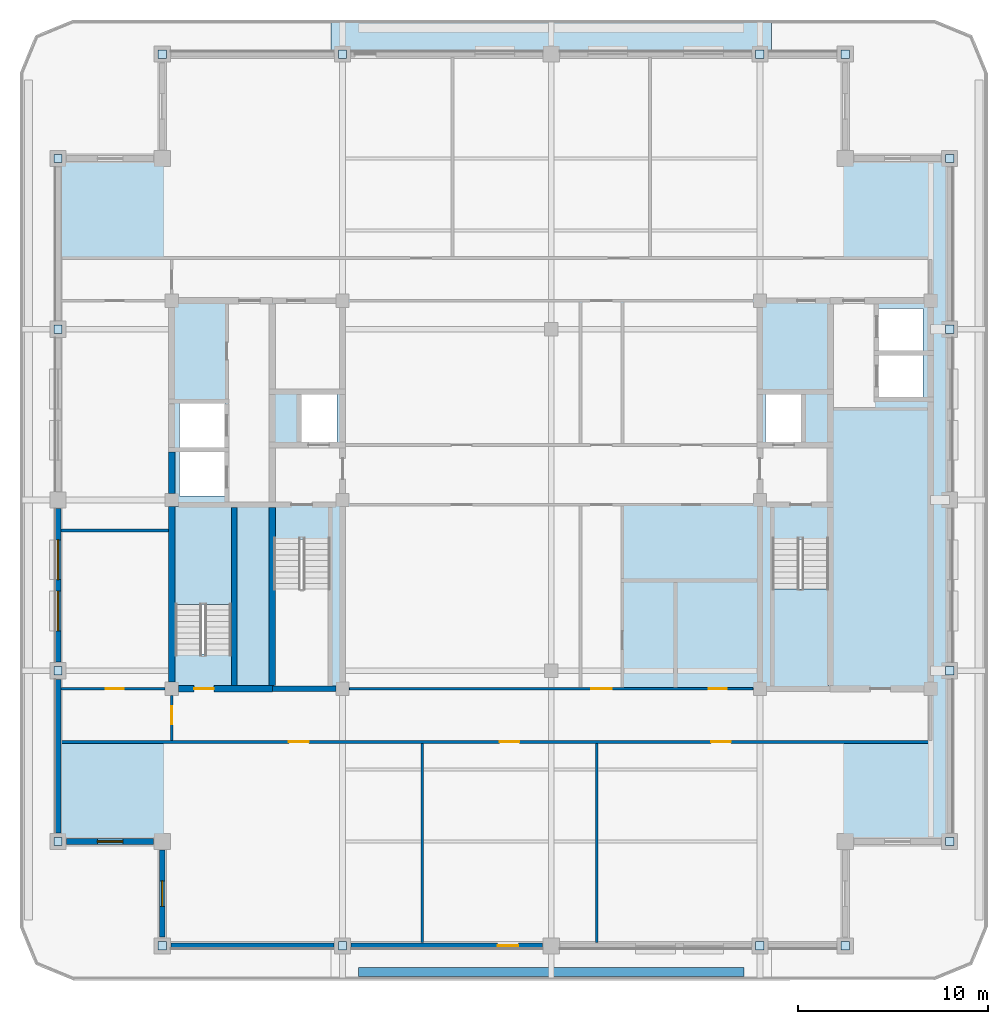
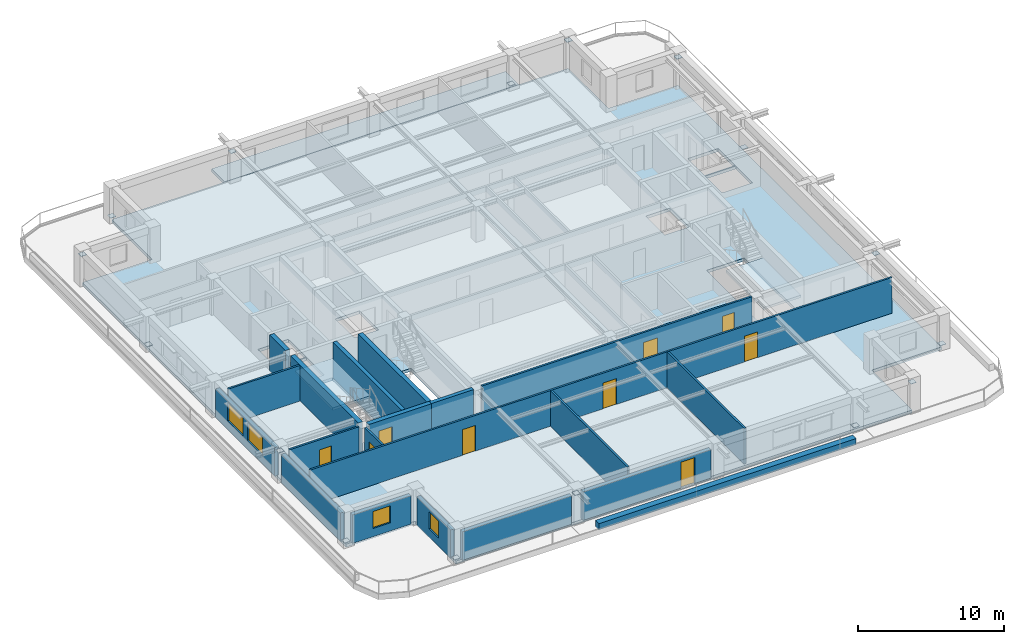
# One storey, part 2 of 11: 20 walls, 16 plates, 9 doors, 4 slabs, 4 windows, 13 openings, 2 elements without a shape of their own.
"""IFC4 building model written with IfcOpenShell, lengths in metres."""

from ifc_helpers import new_model, si_unit, direction, frame, frame_2d, origin, origin_2d, place, context, subcontext, project, spatial, polyline, rectangle, outline, extrude, material, layer, layer_set, type_object, element, fill, aggregate, save


model = new_model("IFC4")

# Units and contexts
model_context = context("Model", 3, precision=1e-05, world=origin(), true_north=direction((0.0, 1.0)))
body_context = subcontext(model_context, "Body", "Model", "MODEL_VIEW")
ifc_project = project(units=[si_unit("LENGTHUNIT", "METRE"), si_unit("AREAUNIT", "SQUARE_METRE"), si_unit("VOLUMEUNIT", "CUBIC_METRE"), si_unit("PLANEANGLEUNIT", "RADIAN"), si_unit("MASSUNIT", "GRAM", prefix="KILO")], contexts=[model_context])

# Site, building, storey
site_placement = place(None, origin())
site = spatial("IfcSite", under=ifc_project, at=site_placement, CompositionType="ELEMENT")
building_placement = place(site_placement, origin())
building = spatial("IfcBuilding", under=site, at=building_placement, Name="Zulmaris Gate Convention Tower", CompositionType="ELEMENT")
storey_placement = place(building_placement, frame((0.0, 0.0, 264.119873046875)))
storey = spatial("IfcBuildingStorey", under=building, at=storey_placement, Name="L70", CompositionType="ELEMENT", Elevation=264.119873046875)

# Plates
ifc_material_1 = material(Name="Steel S460", Category="steel")
ifc_layer_1 = layer(ifc_material_1, 0.02490234375, Name="Steel S460")
ifc_layer_set_1 = layer_set([ifc_layer_1], Name="Steel S460")
plate_type = type_object("IfcPlateType", Name="NP-CAP-440", PredefinedType="USERDEFINED", material=ifc_layer_set_1)
for number, where, z_axis, x_axis, name in (
    (1, (-26.0, -18.0, 0.28759765625), (0.0, 0.0, 1.0), (1.0, 0.0, 0.0), "L70 Steel Node Plate PBR-L70-SW-W-CAP"),
    (2, (-26.0, -9.0, 2.34765625), (0.0, 0.0, 1.0), (1.0, 0.0, 0.0), "L70 Steel Node Plate PBR-L70-SW-W-CAPB"),
    (3, (-26.0, 9.0, 0.28759765625), (0.0, 0.0, 1.0), (1.0, 0.0, 0.0), "L70 Steel Node Plate PBR-L70-NW-W-CAP"),
    (4, (-26.0, 18.0, 2.34765625), (0.0, 0.0, 1.0), (1.0, 0.0, 0.0), "L70 Steel Node Plate PBR-L70-NW-W-CAPB"),
    (5, (21.0, -18.0, 0.28759765625), (0.0, 0.0, 1.0), (1.0, 0.0, 0.0), "L70 Steel Node Plate PBR-L70-SE-E-CAP"),
    (6, (21.0, -9.0, 2.34765625), (0.0, 0.0, 1.0), (1.0, 0.0, 0.0), "L70 Steel Node Plate PBR-L70-SE-E-CAPB"),
    (7, (21.0, 9.0, 0.28759765625), (0.0, 0.0, 1.0), (1.0, 0.0, 0.0), "L70 Steel Node Plate PBR-L70-NE-E-CAP"),
    (8, (21.0, 18.0, 2.34765625), (0.0, 0.0, 1.0), (1.0, 0.0, 0.0), "L70 Steel Node Plate PBR-L70-NE-E-CAPB"),
    (9, (-20.5, -23.5, 0.28759765625), (0.0, 0.0, 1.0), (1.0, 0.0, 0.0), "L70 Steel Node Plate PBR-L70-SW-S-CAP"),
    (10, (-11.0, -23.5, 2.34765625), (0.0, 0.0, 1.0), (1.0, 0.0, 0.0), "L70 Steel Node Plate PBR-L70-SW-S-CAPB"),
    (11, (11.0, -23.5, 0.28759765625), (0.0, 0.0, 1.0), (1.0, 0.0, 0.0), "L70 Steel Node Plate PBR-L70-SE-S-CAP"),
    (12, (15.5, -23.5, 2.34765625), (0.0, 0.0, 1.0), (1.0, 0.0, 0.0), "L70 Steel Node Plate PBR-L70-SE-S-CAPB"),
    (13, (-20.5, 23.5, 0.28759765625), (0.0, 0.0, 1.0), (1.0, 0.0, 0.0), "L70 Steel Node Plate PBR-L70-NW-N-CAP"),
    (14, (-11.0, 23.5, 2.34765625), (0.0, 0.0, 1.0), (1.0, 0.0, 0.0), "L70 Steel Node Plate PBR-L70-NW-N-CAPB"),
    (15, (11.0, 23.5, 0.28759765625), (0.0, 0.0, 1.0), (1.0, 0.0, 0.0), "L70 Steel Node Plate PBR-L70-NE-N-CAP"),
    (16, (15.5, 23.5, 2.34765625), (0.0, 0.0, 1.0), (1.0, 0.0, 0.0), "L70 Steel Node Plate PBR-L70-NE-N-CAPB"),
):
    element("IfcPlate", number, at=place(storey_placement, frame(where, z_axis=z_axis, x_axis=x_axis)), inside=storey, type_object=plate_type, Name=name, ObjectType="FLANGE PLATE", PredefinedType="USERDEFINED", context=body_context, shape_type="SweptSolid", body=[
        extrude(rectangle(XDim=0.43994140625, YDim=0.43994140625, at=origin_2d()), origin(), (0.0, 0.0, 1.0), 0.02490234375),
    ])

# Slabs
ifc_material_2 = material(Name="Precast concrete C50/60", Category="concrete")
ifc_layer_2 = layer(ifc_material_2, 0.260009765625, Name="Precast concrete C50/60")
ifc_layer_set_2 = layer_set([ifc_layer_2], Name="Precast concrete C50/60")
slab_type_1 = type_object("IfcSlabType", Name="SL-BAL-260", PredefinedType="FLOOR", material=ifc_layer_set_2)
slab_1_placement = place(storey_placement, frame((0.0, 0.0, -0.25)))
element("IfcSlab", 17, at=slab_1_placement, inside=storey, type_object=slab_type_1, Name="L70 North Tree-Balcony Planter Slab", PredefinedType="FLOOR", context=body_context, shape_type="SweptSolid", body=[
    extrude(outline(polyline([(11.597900390625, 25.300048828125), (11.597900390625, 23.5), (-11.597900390625, 23.5), (-11.597900390625, 25.300048828125), (11.597900390625, 25.300048828125)])), origin(), (0.0, 0.0, 1.0), 0.260009765625),
])
ifc_material_3 = material(Name="Concrete C50/60", Category="concrete")
ifc_layer_3 = layer(ifc_material_3, 0.25, Name="Concrete C50/60")
ifc_layer_set_3 = layer_set([ifc_layer_3], Name="Concrete C50/60")
slab_type_2 = type_object("IfcSlabType", Name="SL-FLR-250", PredefinedType="FLOOR", material=ifc_layer_set_3)
slab_2_placement = place(storey_placement, frame((0.0, 0.0, -0.25)))
element("IfcSlab", 18, at=slab_2_placement, inside=storey, type_object=slab_type_2, Name="L70 Shifted Notched-Square Structural Floor Slab", PredefinedType="FLOOR", context=body_context, shape_type="SweptSolid", body=[
    extrude(outline(polyline([(-20.5, -23.5), (15.5, -23.5), (15.5, -18.0), (21.0, -18.0), (21.0, 18.0), (15.5, 18.0), (15.5, 23.5), (-20.5, 23.5), (-20.5, 18.0), (-26.0, 18.0), (-26.0, -18.0), (-20.5, -18.0), (-20.5, -23.5)]), holes=[polyline([(-14.6201171875, -2.080078125), (-14.6201171875, -9.85009765625), (-11.659912109375, -9.85009765625), (-11.659912109375, -2.080078125), (-14.6201171875, -2.080078125)]), polyline([(11.659912109375, -2.080078125), (11.659912109375, -9.85009765625), (14.6201171875, -9.85009765625), (14.6201171875, -2.080078125), (11.659912109375, -2.080078125)]), polyline([(-16.860107421875, -8.1201171875), (-16.860107421875, -0.35009765625), (-19.820068359375, -0.35009765625), (-19.820068359375, -8.1201171875), (-16.860107421875, -8.1201171875)]), polyline([(-13.199951171875, 3.0), (-11.300048828125, 3.0), (-11.300048828125, 5.60009765625), (-13.199951171875, 5.60009765625), (-13.199951171875, 3.0)]), polyline([(11.300048828125, 3.0), (13.199951171875, 3.0), (13.199951171875, 5.60009765625), (11.300048828125, 5.60009765625), (11.300048828125, 3.0)]), polyline([(17.199951171875, 5.39990234375), (19.60009765625, 5.39990234375), (19.60009765625, 7.699951171875), (17.199951171875, 7.699951171875), (17.199951171875, 5.39990234375)]), polyline([(17.199951171875, 7.800048828125), (19.60009765625, 7.800048828125), (19.60009765625, 10.10009765625), (17.199951171875, 10.10009765625), (17.199951171875, 7.800048828125)]), polyline([(-19.60009765625, 0.199951171875), (-17.199951171875, 0.199951171875), (-17.199951171875, 2.60009765625), (-19.60009765625, 2.60009765625), (-19.60009765625, 0.199951171875)]), polyline([(-19.60009765625, 2.699951171875), (-17.199951171875, 2.699951171875), (-17.199951171875, 5.10009765625), (-19.60009765625, 5.10009765625), (-19.60009765625, 2.699951171875)])]), origin(), (0.0, 0.0, 1.0), 0.25),
])

# Stair, slab
ifc_material_4 = material(Name="Concrete C45/55", Category="concrete")
stair_type = type_object("IfcStairType", Name="ST-CORE-DOGLEG", PredefinedType="HALF_TURN_STAIR", material=ifc_material_4)
stair_1_placement = place(storey_placement, origin())
stair_1 = element("IfcStair", 19, at=stair_1_placement, inside=storey, type_object=stair_type, Name="L70 Core Exit Stair ST-2", PredefinedType="HALF_TURN_STAIR")
ifc_layer_4 = layer(ifc_material_4, 0.199951171875, Name="Concrete C45/55")
ifc_layer_set_4 = layer_set([ifc_layer_4], Name="Concrete C45/55")
slab_type_3 = type_object("IfcSlabType", Name="SL-LND-200", PredefinedType="LANDING", material=ifc_layer_set_4)
slab_3_placement = place(storey_placement, frame((0.0, 0.0, 1.4150390625)))
slab_3 = element("IfcSlab", 20, at=slab_3_placement, type_object=slab_type_3, Name="ST-2 landing 1", PredefinedType="LANDING", context=body_context, shape_type="SweptSolid", body=[
    extrude(outline(polyline([(11.659912109375, -4.699951171875), (11.659912109375, -9.85009765625), (14.6201171875, -9.85009765625), (14.6201171875, -4.699951171875), (11.659912109375, -4.699951171875)])), origin(), (0.0, 0.0, 1.0), 0.2001953125),
])
aggregate(stair_1, [slab_3])

stair_2_placement = place(storey_placement, origin())
stair_2 = element("IfcStair", 21, at=stair_2_placement, inside=storey, type_object=stair_type, Name="L70 Core Exit Stair ST-3", PredefinedType="HALF_TURN_STAIR")
slab_4_placement = place(storey_placement, frame((0.0, 0.0, 1.4150390625)))
slab_4 = element("IfcSlab", 22, at=slab_4_placement, type_object=slab_type_3, Name="ST-3 landing 1", PredefinedType="LANDING", context=body_context, shape_type="SweptSolid", body=[
    extrude(outline(polyline([(-16.860107421875, -5.5), (-16.860107421875, -0.35009765625), (-19.820068359375, -0.35009765625), (-19.820068359375, -5.5), (-16.860107421875, -5.5)])), origin(), (0.0, 0.0, 1.0), 0.2001953125),
])
aggregate(stair_2, [slab_4])

# Walls
ifc_layer_5 = layer(ifc_material_3, 0.300048828125, Name="Concrete C50/60")
ifc_layer_set_5 = layer_set([ifc_layer_5], Name="Concrete C50/60")
wall_type_1 = type_object("IfcWallType", Name="CORE-300", PredefinedType="SHEAR", material=ifc_layer_set_5)
wall_1_placement = place(storey_placement, frame((-14.699951171875, -9.949951171875, 0.0), z_axis=(0.0, 0.0, 1.0), x_axis=(1.0, 0.0, 0.0)))
element("IfcWall", 23, at=wall_1_placement, inside=storey, type_object=wall_type_1, Name="WL-L70-002", PredefinedType="SHEAR", context=body_context, shape_type="SweptSolid", body=[
    extrude(rectangle(XDim=3.345947265625, YDim=0.300048828125, at=frame_2d((1.6728515625, 0.0))), origin(), (0.0, 0.0, 1.0), 2.980224609375),
])
wall_2_placement = place(storey_placement, frame((-16.699951171875, -9.77294921875, 0.0), z_axis=(0.0, 0.0, 1.0), x_axis=(0.0, 1.0, 0.0)))
element("IfcWall", 24, at=wall_2_placement, inside=storey, type_object=wall_type_1, Name="WL-L70-036", PredefinedType="SHEAR", context=body_context, shape_type="SweptSolid", body=[
    extrude(rectangle(XDim=9.370849609375, YDim=0.300048828125, at=frame_2d((4.685546875, 0.0))), origin(), (0.0, 0.0, 1.0), 2.980224609375),
])

# Wall, opening, door
ifc_material_5 = material(Name="Concrete C55/67", Category="concrete")
ifc_layer_6 = layer(ifc_material_5, 0.35009765625, Name="Concrete C55/67")
ifc_layer_set_6 = layer_set([ifc_layer_6], Name="Concrete C55/67")
wall_type_2 = type_object("IfcWallType", Name="CORE-350", PredefinedType="SHEAR", material=ifc_layer_set_6)
wall_3_placement = place(storey_placement, frame((-19.64599609375, -9.949951171875, 0.0), z_axis=(0.0, 0.0, 1.0), x_axis=(1.0, 0.0, 0.0)))
wall_3 = element("IfcWall", 25, at=wall_3_placement, inside=storey, type_object=wall_type_2, Name="WL-L70-001", PredefinedType="SHEAR", context=body_context, shape_type="SweptSolid", body=[
    extrude(rectangle(XDim=4.946044921875, YDim=0.35009765625, at=frame_2d((2.47314453125, 0.0))), origin(), (0.0, 0.0, 1.0), 2.980224609375),
])
opening_1_placement = place(wall_3_placement, frame((0.821044921875, 0.0, 0.0)))
opening_1 = element("IfcOpeningElement", 26, at=opening_1_placement, cuts=wall_3, Name="Opening D-09", PredefinedType="OPENING", context=body_context, shape_type="SweptSolid", body=[
    extrude(rectangle(XDim=1.050048828125, YDim=2.14990234375, at=frame_2d((0.52490234375, 1.074951171875))), frame((0.0, 0.18505859375, 0.0), z_axis=(0.0, -1.0, 0.0), x_axis=(1.0, 0.0, 0.0)), (0.0, 0.0, 1.0), 0.3701171875),
])
ifc_material_6 = material(Name="Fire-Rated Steel", Category="steel")
door_type_1 = type_object("IfcDoorType", Name="DR-1050-FD", OperationType="NOTDEFINED", PredefinedType="DOOR", material=ifc_material_6)
door_1_placement = place(opening_1_placement, origin())
door_1 = element("IfcDoor", 27, at=door_1_placement, inside=storey, type_object=door_type_1, Name="L70 Exit Stair ST-3 Door 09", OperationType="SINGLE_SWING_LEFT", OverallHeight=2.14990234375, OverallWidth=1.050048828125, PredefinedType="DOOR", context=body_context, shape_type="SweptSolid", body=[
    extrude(rectangle(XDim=1.050048828125, YDim=2.14990234375, at=frame_2d((0.52490234375, 1.074951171875))), frame((0.0, 0.02490234375, 0.0), z_axis=(0.0, -1.0, 0.0), x_axis=(1.0, 0.0, 0.0)), (0.0, 0.0, 1.0), 0.050048828125),
])
fill(opening_1, door_1)

# Walls
wall_4_placement = place(storey_placement, frame((-20.0, -9.595947265625, 0.0), z_axis=(0.0, 0.0, 1.0), x_axis=(0.0, 1.0, 0.0)))
element("IfcWall", 28, at=wall_4_placement, inside=storey, type_object=wall_type_2, Name="WL-L70-030", PredefinedType="SHEAR", context=body_context, shape_type="SweptSolid", body=[
    extrude(rectangle(XDim=9.241943359375, YDim=0.35009765625, at=frame_2d((4.62109375, 0.0))), origin(), (0.0, 0.0, 1.0), 2.980224609375),
])
wall_5_placement = place(storey_placement, frame((-20.0, 0.35400390625, 0.0), z_axis=(0.0, 0.0, 1.0), x_axis=(0.0, 1.0, 0.0)))
element("IfcWall", 29, at=wall_5_placement, inside=storey, type_object=wall_type_2, Name="WL-L70-031", PredefinedType="SHEAR", context=body_context, shape_type="SweptSolid", body=[
    extrude(rectangle(XDim=2.1689453125, YDim=0.35009765625, at=frame_2d((1.08447265625, 0.0))), origin(), (0.0, 0.0, 1.0), 2.980224609375),
])
wall_6_placement = place(storey_placement, frame((-14.699951171875, -9.77294921875, 0.0), z_axis=(0.0, 0.0, 1.0), x_axis=(0.0, 1.0, 0.0)))
element("IfcWall", 30, at=wall_6_placement, inside=storey, type_object=wall_type_2, Name="WL-L70-037", PredefinedType="SHEAR", context=body_context, shape_type="SweptSolid", body=[
    extrude(rectangle(XDim=9.370849609375, YDim=0.35009765625, at=frame_2d((4.685546875, 0.0))), origin(), (0.0, 0.0, 1.0), 2.980224609375),
])

# Wall, openings, doors
ifc_material_7 = material(Name="Gypsum Metal Stud Partition")
ifc_layer_7 = layer(ifc_material_7, 0.14990234375, Name="Gypsum Metal Stud Partition")
ifc_layer_set_7 = layer_set([ifc_layer_7], Name="Gypsum Metal Stud Partition")
wall_type_3 = type_object("IfcWallType", Name="PART-150", PredefinedType="PARTITIONING", material=ifc_layer_set_7)
wall_7_placement = place(storey_placement, frame((-25.8349609375, -12.75, 0.0), z_axis=(0.0, 0.0, 1.0), x_axis=(1.0, 0.0, 0.0)))
wall_7 = element("IfcWall", 31, at=wall_7_placement, inside=storey, type_object=wall_type_3, Name="WL-L70-019", PredefinedType="PARTITIONING", context=body_context, shape_type="SweptSolid", body=[
    extrude(rectangle(XDim=45.909912109375, YDim=0.14990234375, at=frame_2d((22.955078125, 0.0))), origin(), (0.0, 0.0, 1.0), 2.980224609375),
])
opening_2_placement = place(wall_7_placement, frame((12.010009765625, 0.0, 0.0)))
opening_2 = element("IfcOpeningElement", 32, at=opening_2_placement, cuts=wall_7, Name="Opening D-09", PredefinedType="OPENING", context=body_context, shape_type="SweptSolid", body=[
    extrude(rectangle(XDim=1.050048828125, YDim=2.14990234375, at=frame_2d((0.52490234375, 1.074951171875))), frame((0.0, 0.0849609375, 0.0), z_axis=(0.0, -1.0, 0.0), x_axis=(1.0, 0.0, 0.0)), (0.0, 0.0, 1.0), 0.169921875),
])
opening_3_placement = place(wall_7_placement, frame((23.110107421875, 0.0, 0.0)))
opening_3 = element("IfcOpeningElement", 33, at=opening_3_placement, cuts=wall_7, Name="Opening D-09", PredefinedType="OPENING", context=body_context, shape_type="SweptSolid", body=[
    extrude(rectangle(XDim=1.050048828125, YDim=2.14990234375, at=frame_2d((0.52490234375, 1.074951171875))), frame((0.0, 0.0849609375, 0.0), z_axis=(0.0, -1.0, 0.0), x_axis=(1.0, 0.0, 0.0)), (0.0, 0.0, 1.0), 0.169921875),
])
opening_4_placement = place(wall_7_placement, frame((34.260009765625, 0.0, 0.0)))
opening_4 = element("IfcOpeningElement", 34, at=opening_4_placement, cuts=wall_7, Name="Opening D-09", PredefinedType="OPENING", context=body_context, shape_type="SweptSolid", body=[
    extrude(rectangle(XDim=1.050048828125, YDim=2.14990234375, at=frame_2d((0.52490234375, 1.074951171875))), frame((0.0, 0.0849609375, 0.0), z_axis=(0.0, -1.0, 0.0), x_axis=(1.0, 0.0, 0.0)), (0.0, 0.0, 1.0), 0.169921875),
])
door_2_placement = place(opening_2_placement, origin())
door_2 = element("IfcDoor", 35, at=door_2_placement, inside=storey, type_object=door_type_1, Name="L70 Delegate Business Lounge Door 25", OperationType="SINGLE_SWING_LEFT", OverallHeight=2.14990234375, OverallWidth=1.050048828125, PredefinedType="DOOR", context=body_context, shape_type="SweptSolid", body=[
    extrude(rectangle(XDim=1.050048828125, YDim=2.14990234375, at=frame_2d((0.52490234375, 1.074951171875))), frame((0.0, 0.02490234375, 0.0), z_axis=(0.0, -1.0, 0.0), x_axis=(1.0, 0.0, 0.0)), (0.0, 0.0, 1.0), 0.050048828125),
])
fill(opening_2, door_2)
door_3_placement = place(opening_3_placement, origin())
door_3 = element("IfcDoor", 36, at=door_3_placement, inside=storey, type_object=door_type_1, Name="L70 Commercial Advisory Office Door 26", OperationType="SINGLE_SWING_RIGHT", OverallHeight=2.14990234375, OverallWidth=1.050048828125, PredefinedType="DOOR", context=body_context, shape_type="SweptSolid", body=[
    extrude(rectangle(XDim=1.050048828125, YDim=2.14990234375, at=frame_2d((0.52490234375, 1.074951171875))), frame((0.0, 0.02490234375, 0.0), z_axis=(0.0, -1.0, 0.0), x_axis=(1.0, 0.0, 0.0)), (0.0, 0.0, 1.0), 0.050048828125),
])
fill(opening_3, door_3)
door_4_placement = place(opening_4_placement, origin())
door_4 = element("IfcDoor", 37, at=door_4_placement, inside=storey, type_object=door_type_1, Name="L70 Regional Corporate Office Door 27", OperationType="SINGLE_SWING_LEFT", OverallHeight=2.14990234375, OverallWidth=1.050048828125, PredefinedType="DOOR", context=body_context, shape_type="SweptSolid", body=[
    extrude(rectangle(XDim=1.050048828125, YDim=2.14990234375, at=frame_2d((0.52490234375, 1.074951171875))), frame((0.0, 0.02490234375, 0.0), z_axis=(0.0, -1.0, 0.0), x_axis=(1.0, 0.0, 0.0)), (0.0, 0.0, 1.0), 0.050048828125),
])
fill(opening_4, door_4)

# Wall, opening, door
wall_8_placement = place(storey_placement, frame((-25.8349609375, -9.949951171875, 0.0), z_axis=(0.0, 0.0, 1.0), x_axis=(1.0, 0.0, 0.0)))
wall_8 = element("IfcWall", 38, at=wall_8_placement, inside=storey, type_object=wall_type_3, Name="WL-L70-020", PredefinedType="PARTITIONING", context=body_context, shape_type="SweptSolid", body=[
    extrude(rectangle(XDim=5.47900390625, YDim=0.14990234375, at=frame_2d((2.739501953125, 0.0))), origin(), (0.0, 0.0, 1.0), 2.980224609375),
])
opening_5_placement = place(wall_8_placement, frame((2.360107421875, 0.0, 0.0)))
opening_5 = element("IfcOpeningElement", 39, at=opening_5_placement, cuts=wall_8, Name="Opening D-11", PredefinedType="OPENING", context=body_context, shape_type="SweptSolid", body=[
    extrude(rectangle(XDim=0.949951171875, YDim=2.14990234375, at=frame_2d((0.47509765625, 1.074951171875))), frame((0.0, 0.0849609375, 0.0), z_axis=(0.0, -1.0, 0.0), x_axis=(1.0, 0.0, 0.0)), (0.0, 0.0, 1.0), 0.169921875),
])
ifc_material_8 = material(Name="Fire-Rated Timber", Category="wood")
door_type_2 = type_object("IfcDoorType", Name="DR-950-FD", OperationType="NOTDEFINED", PredefinedType="DOOR", material=ifc_material_8)
door_5_placement = place(opening_5_placement, origin())
door_5 = element("IfcDoor", 40, at=door_5_placement, inside=storey, type_object=door_type_2, Name="L70 SW Partner Door 37", OperationType="SINGLE_SWING_LEFT", OverallHeight=2.14990234375, OverallWidth=0.949951171875, PredefinedType="DOOR", context=body_context, shape_type="SweptSolid", body=[
    extrude(rectangle(XDim=0.949951171875, YDim=2.14990234375, at=frame_2d((0.47509765625, 1.074951171875))), frame((0.0, 0.02490234375, 0.0), z_axis=(0.0, -1.0, 0.0), x_axis=(1.0, 0.0, 0.0)), (0.0, 0.0, 1.0), 0.050048828125),
])
fill(opening_5, door_5)

# Wall, openings, doors
wall_9_placement = place(storey_placement, frame((-10.64404296875, -9.949951171875, 0.0), z_axis=(0.0, 0.0, 1.0), x_axis=(1.0, 0.0, 0.0)))
wall_9 = element("IfcWall", 41, at=wall_9_placement, inside=storey, type_object=wall_type_3, Name="WL-L70-021", PredefinedType="PARTITIONING", context=body_context, shape_type="SweptSolid", body=[
    extrude(rectangle(XDim=21.2880859375, YDim=0.14990234375, at=frame_2d((10.64404296875, 0.0))), origin(), (0.0, 0.0, 1.0), 2.980224609375),
])
opening_6_placement = place(wall_9_placement, frame((12.743896484375, 0.0, 0.0)))
opening_6 = element("IfcOpeningElement", 42, at=opening_6_placement, cuts=wall_9, Name="Opening D-08", PredefinedType="OPENING", context=body_context, shape_type="SweptSolid", body=[
    extrude(rectangle(XDim=1.10009765625, YDim=2.14990234375, at=frame_2d((0.550048828125, 1.074951171875))), frame((0.0, 0.0849609375, 0.0), z_axis=(0.0, -1.0, 0.0), x_axis=(1.0, 0.0, 0.0)), (0.0, 0.0, 1.0), 0.169921875),
])
opening_7_placement = place(wall_9_placement, frame((18.948974609375, 0.0, 0.0)))
opening_7 = element("IfcOpeningElement", 43, at=opening_7_placement, cuts=wall_9, Name="Opening D-11", PredefinedType="OPENING", context=body_context, shape_type="SweptSolid", body=[
    extrude(rectangle(XDim=0.949951171875, YDim=2.14990234375, at=frame_2d((0.47509765625, 1.074951171875))), frame((0.0, 0.0849609375, 0.0), z_axis=(0.0, -1.0, 0.0), x_axis=(1.0, 0.0, 0.0)), (0.0, 0.0, 1.0), 0.169921875),
])
door_type_3 = type_object("IfcDoorType", Name="DR-1100-FD", OperationType="NOTDEFINED", PredefinedType="DOOR", material=ifc_material_6)
door_6_placement = place(opening_6_placement, origin())
door_6 = element("IfcDoor", 44, at=door_6_placement, inside=storey, type_object=door_type_3, Name="L70 Exec South Link Door 19", OperationType="SINGLE_SWING_LEFT", OverallHeight=2.14990234375, OverallWidth=1.10009765625, PredefinedType="DOOR", context=body_context, shape_type="SweptSolid", body=[
    extrude(rectangle(XDim=1.10009765625, YDim=2.14990234375, at=frame_2d((0.550048828125, 1.074951171875))), frame((0.0, 0.02490234375, 0.0), z_axis=(0.0, -1.0, 0.0), x_axis=(1.0, 0.0, 0.0)), (0.0, 0.0, 1.0), 0.050048828125),
])
fill(opening_6, door_6)
door_7_placement = place(opening_7_placement, origin())
door_7 = element("IfcDoor", 45, at=door_7_placement, inside=storey, type_object=door_type_2, Name="L70 Vault Store Door 33", OperationType="SINGLE_SWING_LEFT", OverallHeight=2.14990234375, OverallWidth=0.949951171875, PredefinedType="DOOR", context=body_context, shape_type="SweptSolid", body=[
    extrude(rectangle(XDim=0.949951171875, YDim=2.14990234375, at=frame_2d((0.47509765625, 1.074951171875))), frame((0.0, 0.02490234375, 0.0), z_axis=(0.0, -1.0, 0.0), x_axis=(1.0, 0.0, 0.0)), (0.0, 0.0, 1.0), 0.050048828125),
])
fill(opening_7, door_7)

# Wall
wall_10_placement = place(storey_placement, frame((-25.8349609375, -1.60009765625, 0.0), z_axis=(0.0, 0.0, 1.0), x_axis=(1.0, 0.0, 0.0)))
element("IfcWall", 46, at=wall_10_placement, inside=storey, type_object=wall_type_3, Name="WL-L70-023", PredefinedType="PARTITIONING", context=body_context, shape_type="SweptSolid", body=[
    extrude(rectangle(XDim=5.656982421875, YDim=0.14990234375, at=frame_2d((2.82861328125, 0.0))), origin(), (0.0, 0.0, 1.0), 2.980224609375),
])

# Wall, opening, door
wall_11_placement = place(storey_placement, frame((-20.0, -12.672119140625, 0.0), z_axis=(0.0, 0.0, 1.0), x_axis=(0.0, 1.0, 0.0)))
wall_11 = element("IfcWall", 47, at=wall_11_placement, inside=storey, type_object=wall_type_3, Name="WL-L70-062", PredefinedType="PARTITIONING", context=body_context, shape_type="SweptSolid", body=[
    extrude(rectangle(XDim=2.3662109375, YDim=0.14990234375, at=frame_2d((1.18310546875, 0.0))), origin(), (0.0, 0.0, 1.0), 2.980224609375),
])
opening_8_placement = place(wall_11_placement, frame((0.846923828125, 0.0, 0.0)))
opening_8 = element("IfcOpeningElement", 48, at=opening_8_placement, cuts=wall_11, Name="Opening D-11", PredefinedType="OPENING", context=body_context, shape_type="SweptSolid", body=[
    extrude(rectangle(XDim=0.949951171875, YDim=2.14990234375, at=frame_2d((0.47509765625, 1.074951171875))), frame((0.0, 0.0849609375, 0.0), z_axis=(0.0, -1.0, 0.0), x_axis=(1.0, 0.0, 0.0)), (0.0, 0.0, 1.0), 0.169921875),
])
door_8_placement = place(opening_8_placement, origin())
door_8 = element("IfcDoor", 49, at=door_8_placement, inside=storey, type_object=door_type_2, Name="L70 SW Spur Door 35", OperationType="SINGLE_SWING_LEFT", OverallHeight=2.14990234375, OverallWidth=0.949951171875, PredefinedType="DOOR", context=body_context, shape_type="SweptSolid", body=[
    extrude(rectangle(XDim=0.949951171875, YDim=2.14990234375, at=frame_2d((0.47509765625, 1.074951171875))), frame((0.0, 0.02490234375, 0.0), z_axis=(0.0, -1.0, 0.0), x_axis=(1.0, 0.0, 0.0)), (0.0, 0.0, 1.0), 0.050048828125),
])
fill(opening_8, door_8)

# Walls
for number, where, z_axis, x_axis, name in (
    (50, (-6.800048828125, -23.3349609375, 0.0), (0.0, 0.0, 1.0), (0.0, 1.0, 0.0), "WL-L70-065"),
    (51, (2.39990234375, -23.3349609375, 0.0), (0.0, 0.0, 1.0), (0.0, 1.0, 0.0), "WL-L70-069"),
):
    element("IfcWall", number, at=place(storey_placement, frame(where, z_axis=z_axis, x_axis=x_axis)), inside=storey, type_object=wall_type_3, Name=name, PredefinedType="PARTITIONING", context=body_context, shape_type="SweptSolid", body=[
        extrude(rectangle(XDim=10.507080078125, YDim=0.14990234375, at=frame_2d((5.25341796875, 0.0))), origin(), (0.0, 0.0, 1.0), 2.980224609375),
    ])
ifc_material_9 = material(Name="Botanical Green Glazed Precast Concrete C40/50", Category="concrete")
ifc_layer_8 = layer(ifc_material_9, 0.419921875, Name="Botanical Green Glazed Precast Concrete C40/50")
ifc_layer_set_8 = layer_set([ifc_layer_8], Name="Botanical Green Glazed Precast Concrete C40/50")
wall_type_4 = type_object("IfcWallType", Name="PLANTER-CURB-200", PredefinedType="PARAPET", material=ifc_layer_set_8)
wall_12_placement = place(storey_placement, frame((-10.14990234375, -24.8798828125, -0.0400390625), z_axis=(0.0, 0.0, 1.0), x_axis=(1.0, 0.0, 0.0)))
element("IfcWall", 52, at=wall_12_placement, inside=storey, type_object=wall_type_4, Name="L70 Full-Length Balcony Tree Planter Trough", PredefinedType="PARAPET", context=body_context, shape_type="SweptSolid", body=[
    extrude(rectangle(XDim=20.2998046875, YDim=0.47998046875, at=frame_2d((10.14990234375, 0.0))), origin(), (0.0, 0.0, 1.0), 0.52001953125),
])

# Wall, opening, window
ifc_material_10 = material(Name="Precast concrete C40/50", Category="concrete")
ifc_layer_9 = layer(ifc_material_10, 0.300048828125, Name="Precast concrete C40/50")
ifc_layer_set_9 = layer_set([ifc_layer_9], Name="Precast concrete C40/50")
wall_type_5 = type_object("IfcWallType", Name="PRECAST-PIER-300", PredefinedType="STANDARD", material=ifc_layer_set_9)
wall_13_placement = place(storey_placement, frame((-25.544921875, -18.0, 0.0), z_axis=(0.0, 0.0, 1.0), x_axis=(1.0, 0.0, 0.0)))
wall_13 = element("IfcWall", 53, at=wall_13_placement, inside=storey, type_object=wall_type_5, Name="EW-L70-NOTCH-SW1_0", PredefinedType="STANDARD", context=body_context, shape_type="SweptSolid", body=[
    extrude(rectangle(XDim=4.58984375, YDim=0.300048828125, at=frame_2d((2.294921875, 0.0))), origin(), (0.0, 0.0, 1.0), 2.372314453125),
])
opening_9_placement = place(wall_13_placement, frame((1.6201171875, 0.0, 0.679931640625)))
opening_9 = element("IfcOpeningElement", 54, at=opening_9_placement, cuts=wall_13, Name="Opening W-10", PredefinedType="OPENING", context=body_context, shape_type="SweptSolid", body=[
    extrude(rectangle(XDim=1.35009765625, YDim=1.419921875, at=frame_2d((0.675048828125, 0.7099609375))), frame((0.0, 0.16015625, 0.0), z_axis=(0.0, -1.0, 0.0), x_axis=(1.0, 0.0, 0.0)), (0.0, 0.0, 1.0), 0.320068359375),
])
ifc_material_11 = material(Name="Low-E Laminated Double Glazing in Aluminium Frame", Category="aluminium")
window_type_1 = type_object("IfcWindowType", Name="WIN-1350x2000", PartitioningType="SINGLE_PANEL", PredefinedType="WINDOW", material=ifc_material_11)
window_1_placement = place(opening_9_placement, origin())
window_1 = element("IfcWindow", 55, at=window_1_placement, inside=storey, type_object=window_type_1, Name="WN-EW-L70-NOTCH-SW1_0", OverallHeight=1.419921875, OverallWidth=1.35009765625, PartitioningType="SINGLE_PANEL", PredefinedType="WINDOW", context=body_context, shape_type="SweptSolid", body=[
    extrude(rectangle(XDim=1.35009765625, YDim=1.419921875, at=frame_2d((0.675048828125, 0.7099609375))), frame((0.0, 0.030029296875, 0.0), z_axis=(0.0, -1.0, 0.0), x_axis=(1.0, 0.0, 0.0)), (0.0, 0.0, 1.0), 0.06005859375),
])
fill(opening_9, window_1)

wall_14_placement = place(storey_placement, frame((-20.5, -18.455078125, 0.0), z_axis=(0.0, 0.0, 1.0), x_axis=(0.0, -1.0, 0.0)))
wall_14 = element("IfcWall", 56, at=wall_14_placement, inside=storey, type_object=wall_type_5, Name="EW-L70-NOTCH-SW2_0", PredefinedType="STANDARD", context=body_context, shape_type="SweptSolid", body=[
    extrude(rectangle(XDim=4.58984375, YDim=0.300048828125, at=frame_2d((2.294921875, 0.0))), origin(), (0.0, 0.0, 1.0), 2.372314453125),
])
opening_10_placement = place(wall_14_placement, frame((1.6201171875, 0.0, 0.679931640625)))
opening_10 = element("IfcOpeningElement", 57, at=opening_10_placement, cuts=wall_14, Name="Opening W-10", PredefinedType="OPENING", context=body_context, shape_type="SweptSolid", body=[
    extrude(rectangle(XDim=1.35009765625, YDim=1.419921875, at=frame_2d((0.675048828125, 0.7099609375))), frame((0.0, 0.16015625, 0.0), z_axis=(0.0, -1.0, 0.0), x_axis=(1.0, 0.0, 0.0)), (0.0, 0.0, 1.0), 0.320068359375),
])
window_2_placement = place(opening_10_placement, origin())
window_2 = element("IfcWindow", 58, at=window_2_placement, inside=storey, type_object=window_type_1, Name="WN-EW-L70-NOTCH-SW2_0", OverallHeight=1.419921875, OverallWidth=1.35009765625, PartitioningType="SINGLE_PANEL", PredefinedType="WINDOW", context=body_context, shape_type="SweptSolid", body=[
    extrude(rectangle(XDim=1.35009765625, YDim=1.419921875, at=frame_2d((0.675048828125, 0.7099609375))), frame((0.0, 0.030029296875, 0.0), z_axis=(0.0, -1.0, 0.0), x_axis=(1.0, 0.0, 0.0)), (0.0, 0.0, 1.0), 0.06005859375),
])
fill(opening_10, window_2)

# Wall
wall_15_placement = place(storey_placement, frame((-20.044921875, -23.5, 0.0), z_axis=(0.0, 0.0, 1.0), x_axis=(1.0, 0.0, 0.0)))
element("IfcWall", 59, at=wall_15_placement, inside=storey, type_object=wall_type_5, Name="EW-L70-S-0_0", PredefinedType="STANDARD", context=body_context, shape_type="SweptSolid", body=[
    extrude(rectangle(XDim=8.58984375, YDim=0.300048828125, at=frame_2d((4.294921875, 0.0))), origin(), (0.0, 0.0, 1.0), 2.372314453125),
])

# Wall, opening, door
wall_16_placement = place(storey_placement, frame((-10.544921875, -23.5, 0.0), z_axis=(0.0, 0.0, 1.0), x_axis=(1.0, 0.0, 0.0)))
wall_16 = element("IfcWall", 60, at=wall_16_placement, inside=storey, type_object=wall_type_5, Name="EW-L70-S-1_0", PredefinedType="STANDARD", context=body_context, shape_type="SweptSolid", body=[
    extrude(rectangle(XDim=10.08984375, YDim=0.300048828125, at=frame_2d((5.044921875, 0.0))), origin(), (0.0, 0.0, 1.0), 2.372314453125),
])
opening_11_placement = place(wall_16_placement, frame((7.716064453125, 0.0, 0.0)))
opening_11 = element("IfcOpeningElement", 61, at=opening_11_placement, cuts=wall_16, Name="Opening D-04", PredefinedType="OPENING", context=body_context, shape_type="SweptSolid", body=[
    extrude(rectangle(XDim=1.10009765625, YDim=2.14990234375, at=frame_2d((0.550048828125, 1.074951171875))), frame((0.0, 0.16015625, 0.0), z_axis=(0.0, -1.0, 0.0), x_axis=(1.0, 0.0, 0.0)), (0.0, 0.0, 1.0), 0.320068359375),
])
ifc_material_12 = material(Name="Anodised Aluminium and Laminated Glass", Category="aluminium")
door_type_4 = type_object("IfcDoorType", Name="ED-1100", OperationType="SINGLE_SWING_RIGHT", PredefinedType="DOOR", material=ifc_material_12)
door_9_placement = place(opening_11_placement, origin())
door_9 = element("IfcDoor", 62, at=door_9_placement, inside=storey, type_object=door_type_4, Name="L70 S Planted Terrace Door", OperationType="SINGLE_SWING_RIGHT", OverallHeight=2.14990234375, OverallWidth=1.10009765625, PredefinedType="DOOR", context=body_context, shape_type="SweptSolid", body=[
    extrude(rectangle(XDim=1.10009765625, YDim=2.14990234375, at=frame_2d((0.550048828125, 1.074951171875))), frame((0.0, 0.02490234375, 0.0), z_axis=(0.0, -1.0, 0.0), x_axis=(1.0, 0.0, 0.0)), (0.0, 0.0, 1.0), 0.050048828125),
])
fill(opening_11, door_9)

# Wall
wall_17_placement = place(storey_placement, frame((-26.0, -9.455078125, 0.0), z_axis=(0.0, 0.0, 1.0), x_axis=(0.0, -1.0, 0.0)))
element("IfcWall", 63, at=wall_17_placement, inside=storey, type_object=wall_type_5, Name="EW-L70-W-0_0", PredefinedType="STANDARD", context=body_context, shape_type="SweptSolid", body=[
    extrude(rectangle(XDim=8.08984375, YDim=0.300048828125, at=frame_2d((4.044921875, 0.0))), origin(), (0.0, 0.0, 1.0), 2.372314453125),
])

# Wall, openings, windows
wall_18_placement = place(storey_placement, frame((-26.0, -0.455078125, 0.0), z_axis=(0.0, 0.0, 1.0), x_axis=(0.0, -1.0, 0.0)))
wall_18 = element("IfcWall", 64, at=wall_18_placement, inside=storey, type_object=wall_type_5, Name="EW-L70-W-1_0", PredefinedType="STANDARD", context=body_context, shape_type="SweptSolid", body=[
    extrude(rectangle(XDim=8.08984375, YDim=0.300048828125, at=frame_2d((4.044921875, 0.0))), origin(), (0.0, 0.0, 1.0), 2.372314453125),
])
opening_12_placement = place(wall_18_placement, frame((1.64697265625, 0.0, 0.699951171875)))
opening_12 = element("IfcOpeningElement", 65, at=opening_12_placement, cuts=wall_18, Name="Opening W-05", PredefinedType="OPENING", context=body_context, shape_type="SweptSolid", body=[
    extrude(rectangle(XDim=2.10009765625, YDim=1.5, at=frame_2d((1.050048828125, 0.75))), frame((0.0, 0.16015625, 0.0), z_axis=(0.0, -1.0, 0.0), x_axis=(1.0, 0.0, 0.0)), (0.0, 0.0, 1.0), 0.320068359375),
])
opening_13_placement = place(wall_18_placement, frame((4.343017578125, 0.0, 0.699951171875)))
opening_13 = element("IfcOpeningElement", 66, at=opening_13_placement, cuts=wall_18, Name="Opening W-05", PredefinedType="OPENING", context=body_context, shape_type="SweptSolid", body=[
    extrude(rectangle(XDim=2.10009765625, YDim=1.5, at=frame_2d((1.050048828125, 0.75))), frame((0.0, 0.16015625, 0.0), z_axis=(0.0, -1.0, 0.0), x_axis=(1.0, 0.0, 0.0)), (0.0, 0.0, 1.0), 0.320068359375),
])
window_type_2 = type_object("IfcWindowType", Name="WIN-2100x2400", PartitioningType="SINGLE_PANEL", PredefinedType="WINDOW", material=ifc_material_11)
window_3_placement = place(opening_12_placement, origin())
window_3 = element("IfcWindow", 67, at=window_3_placement, inside=storey, type_object=window_type_2, Name="WN-EW-L70-W-1_0-1", OverallHeight=1.5, OverallWidth=2.10009765625, PartitioningType="SINGLE_PANEL", PredefinedType="WINDOW", context=body_context, shape_type="SweptSolid", body=[
    extrude(rectangle(XDim=2.10009765625, YDim=1.5, at=frame_2d((1.050048828125, 0.75))), frame((0.0, 0.030029296875, 0.0), z_axis=(0.0, -1.0, 0.0), x_axis=(1.0, 0.0, 0.0)), (0.0, 0.0, 1.0), 0.06005859375),
])
fill(opening_12, window_3)
window_4_placement = place(opening_13_placement, origin())
window_4 = element("IfcWindow", 68, at=window_4_placement, inside=storey, type_object=window_type_2, Name="WN-EW-L70-W-1_0-2", OverallHeight=1.5, OverallWidth=2.10009765625, PartitioningType="SINGLE_PANEL", PredefinedType="WINDOW", context=body_context, shape_type="SweptSolid", body=[
    extrude(rectangle(XDim=2.10009765625, YDim=1.5, at=frame_2d((1.050048828125, 0.75))), frame((0.0, 0.030029296875, 0.0), z_axis=(0.0, -1.0, 0.0), x_axis=(1.0, 0.0, 0.0)), (0.0, 0.0, 1.0), 0.06005859375),
])
fill(opening_13, window_4)

save(model, "model.ifc")
